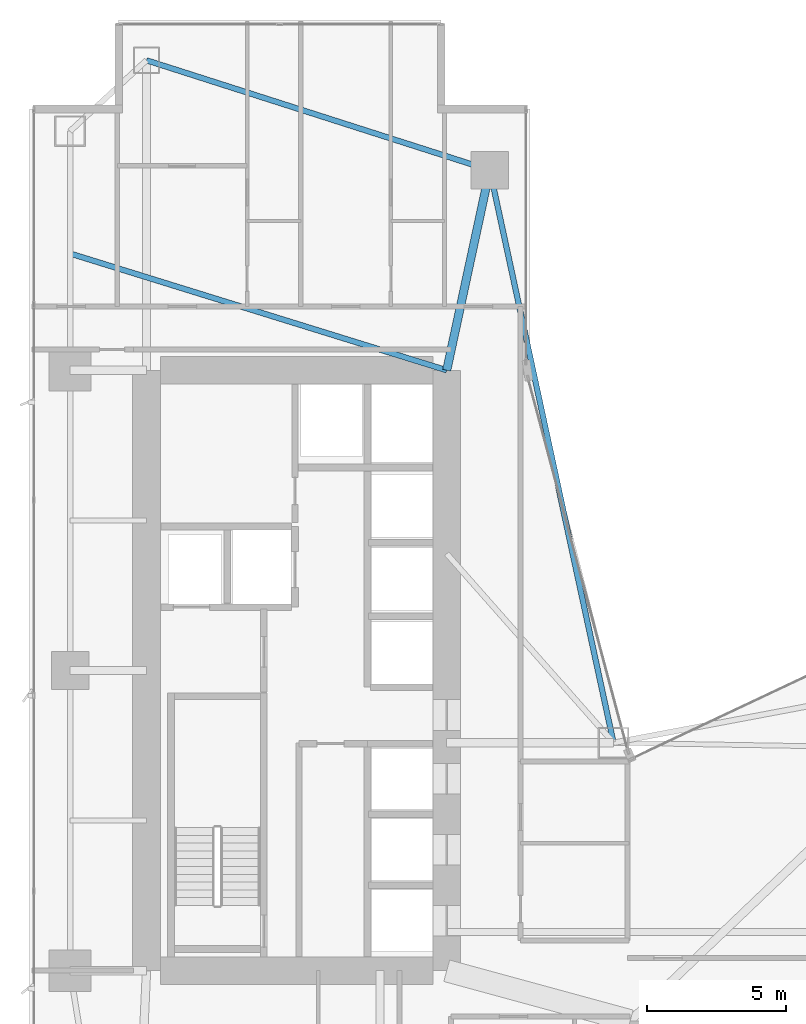
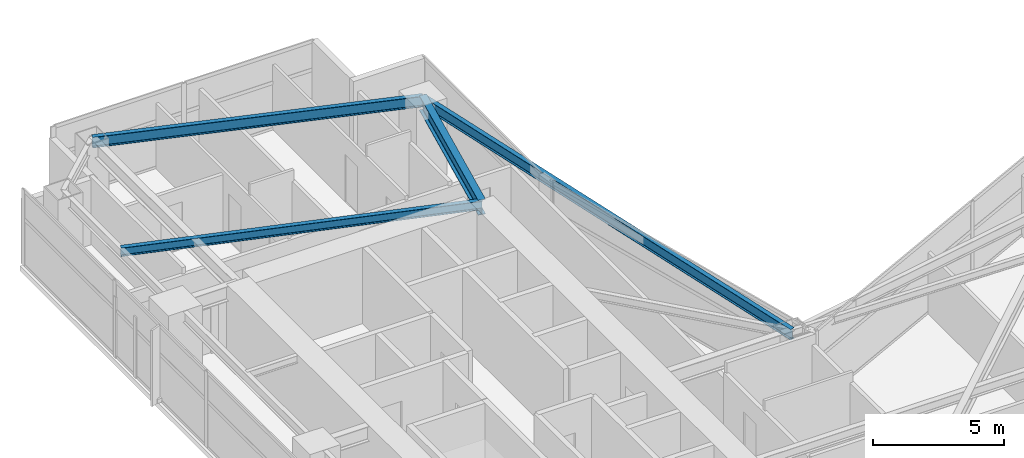
# One storey, part 17 of 30: 4 beams.
"""IFC4 building model written with IfcOpenShell, lengths in metres."""

from ifc_helpers import new_model, si_unit, direction, frame, origin, origin_2d, place, context, subcontext, project, spatial, i_section, extrude, material, material_profile, profile_set, type_object, element, save


model = new_model("IFC4")

# Units and contexts
model_context = context("Model", 3, precision=1e-05, world=origin(), true_north=direction((0.0, 1.0)))
body_context = subcontext(model_context, "Body", "Model", "MODEL_VIEW")
ifc_project = project(units=[si_unit("LENGTHUNIT", "METRE"), si_unit("AREAUNIT", "SQUARE_METRE"), si_unit("VOLUMEUNIT", "CUBIC_METRE"), si_unit("PLANEANGLEUNIT", "RADIAN"), si_unit("MASSUNIT", "GRAM", prefix="KILO")], contexts=[model_context])

# Site, building, storey
site_placement = place(None, origin())
site = spatial("IfcSite", under=ifc_project, at=site_placement, CompositionType="ELEMENT")
building_placement = place(site_placement, origin())
building = spatial("IfcBuilding", under=site, at=building_placement, Name="Calvorn Quay Hotel", CompositionType="ELEMENT")
storey_placement = place(building_placement, frame((0.0, 0.0, 54.60009765625)))
storey = spatial("IfcBuildingStorey", under=building, at=storey_placement, Name="L12", CompositionType="ELEMENT", Elevation=54.60009765625)

# Beams
ifc_material_1 = material(Name="Steel Q390GJC", Category="steel")
ifc_material_profile_1 = material_profile(ifc_material_1, i_section(OverallWidth=0.300048828125, OverallDepth=0.699951171875, WebThickness=0.012939453125, FlangeThickness=0.02392578125, FilletRadius=0.02392578125, at=origin_2d()), Name="HN700x300x13x24")
ifc_profile_set_1 = profile_set([ifc_material_profile_1], Name="Steel Q390GJC")
beam_type_1 = type_object("IfcBeamType", Name="BM-GIRD-MAIN", PredefinedType="BEAM", material=ifc_profile_set_1)
beam_1_placement = place(storey_placement, frame((16.550048828125, 45.60009765625, 3.18994140625), z_axis=(-0.210457140491, -0.97760308511, 0.0), x_axis=(0.97760308511, -0.210457140491, 0.0)))
element("IfcBeam", 1, at=beam_1_placement, inside=storey, type_object=beam_type_1, Name="Beam BG-L12-W6", PredefinedType="BEAM", context=body_context, shape_type="SweptSolid", body=[
    extrude(i_section(OverallWidth=0.300048828125, OverallDepth=0.699951171875, WebThickness=0.012939453125, FlangeThickness=0.02392578125, FilletRadius=0.02392578125, at=origin_2d()), origin(), (0.0, 0.0, 1.0), 7.365234375),
])
ifc_material_2 = material(Name="Steel Q355B", Category="steel")
ifc_material_profile_2 = material_profile(ifc_material_2, i_section(OverallWidth=0.199951171875, OverallDepth=0.39990234375, WebThickness=0.008056640625, FlangeThickness=0.012939453125, FilletRadius=0.01611328125, at=origin_2d()), Name="HN400x200x8x13")
ifc_profile_set_2 = profile_set([ifc_material_profile_2], Name="Steel Q355B")
beam_type_2 = type_object("IfcBeamType", Name="BM-JOIST-TYP", PredefinedType="JOIST", material=ifc_profile_set_2)
beam_2_placement = place(storey_placement, frame((1.449951171875, 42.60009765625, 3.33984375), z_axis=(0.955163702122, -0.296078202759, 0.0), x_axis=(0.296078202759, 0.955163702122, 0.0)))
element("IfcBeam", 2, at=beam_2_placement, inside=storey, type_object=beam_type_2, Name="Beam BJ-L12-W2", PredefinedType="JOIST", context=body_context, shape_type="SweptSolid", body=[
    extrude(i_section(OverallWidth=0.199951171875, OverallDepth=0.39990234375, WebThickness=0.008056640625, FlangeThickness=0.012939453125, FilletRadius=0.01611328125, at=origin_2d()), origin(), (0.0, 0.0, 1.0), 14.18603515625),
])
ifc_material_3 = material(Name="Steel Q355B", Category="steel")
ifc_material_profile_3 = material_profile(ifc_material_3, i_section(OverallWidth=0.199951171875, OverallDepth=0.5, WebThickness=0.010009765625, FlangeThickness=0.01611328125, FilletRadius=0.01611328125, at=origin_2d()), Name="HN500x200x10x16")
ifc_profile_set_3 = profile_set([ifc_material_profile_3], Name="Steel Q355B")
beam_type_3 = type_object("IfcBeamType", Name="BM-SPANDREL-Z1", PredefinedType="SPANDREL", material=ifc_profile_set_3)
beam_3_placement = place(storey_placement, frame((4.199951171875, 49.550048828125, 3.289794921875), z_axis=(0.952470702374, -0.304630203885, 0.0), x_axis=(0.304630203885, 0.952470702374, 0.0)))
element("IfcBeam", 3, at=beam_3_placement, inside=storey, type_object=beam_type_3, Name="Beam BSP-L12-W6", PredefinedType="SPANDREL", context=body_context, shape_type="SweptSolid", body=[
    extrude(i_section(OverallWidth=0.199951171875, OverallDepth=0.5, WebThickness=0.010009765625, FlangeThickness=0.01611328125, FilletRadius=0.01611328125, at=origin_2d()), origin(), (0.0, 0.0, 1.0), 12.96630859375),
])
beam_4_placement = place(storey_placement, frame((16.550048828125, 45.60009765625, 3.289794921875), z_axis=(0.211145848376, -0.977454567084, 0.0), x_axis=(0.977454567084, 0.211145848376, 0.0)))
element("IfcBeam", 4, at=beam_4_placement, inside=storey, type_object=beam_type_3, Name="Beam BSP-L12-W7", PredefinedType="SPANDREL", context=body_context, shape_type="SweptSolid", body=[
    extrude(i_section(OverallWidth=0.199951171875, OverallDepth=0.5, WebThickness=0.010009765625, FlangeThickness=0.01611328125, FilletRadius=0.01611328125, at=origin_2d()), origin(), (0.0, 0.0, 1.0), 21.0751953125),
])

save(model, "model.ifc")
